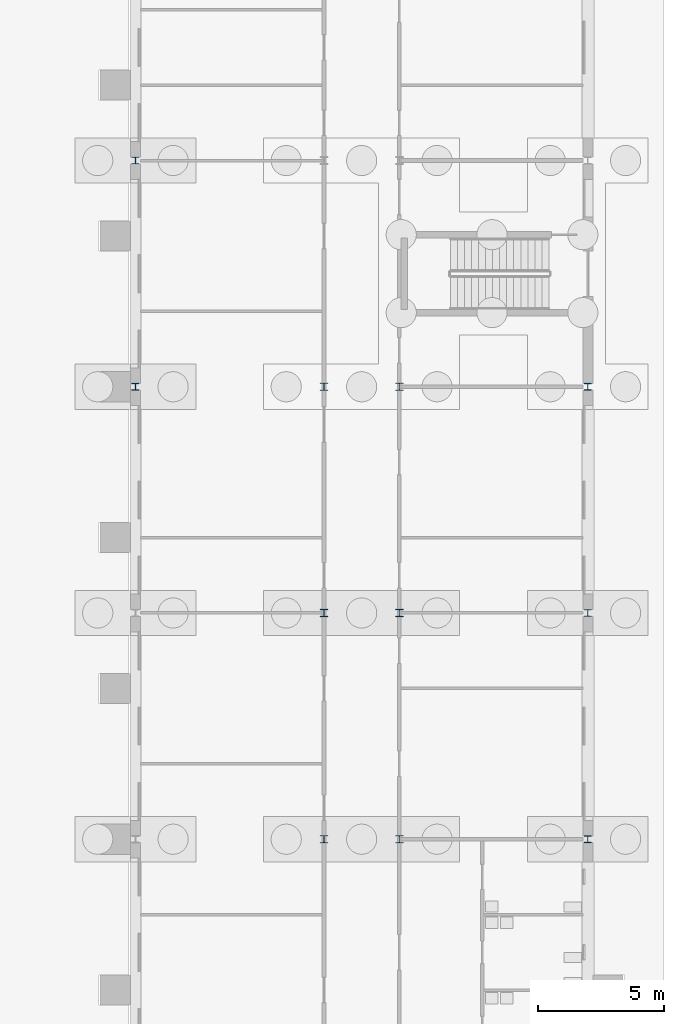
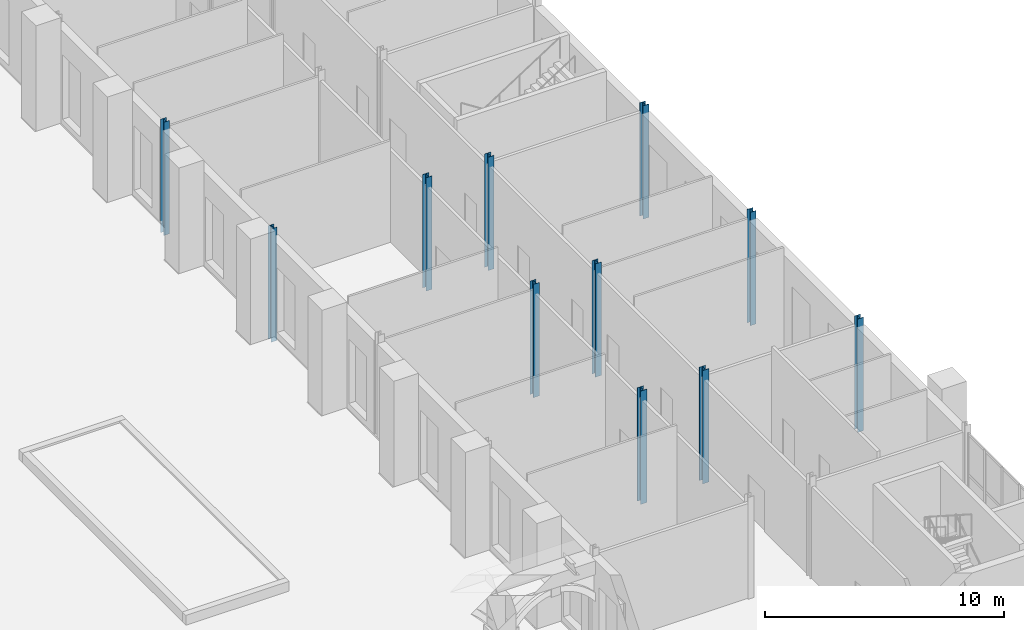
# One storey, part 29 of 168: 11 columns.
"""IFC4 building model written with IfcOpenShell, lengths in metres."""

from ifc_helpers import new_model, si_unit, direction, frame, origin, origin_2d, place, context, subcontext, project, spatial, i_section, extrude, material, material_profile, profile_set, type_object, element, save


model = new_model("IFC4")

# Units and contexts
model_context = context("Model", 3, precision=1e-05, world=origin(), true_north=direction((0.0, 1.0)))
body_context = subcontext(model_context, "Body", "Model", "MODEL_VIEW")
ifc_project = project(units=[si_unit("LENGTHUNIT", "METRE"), si_unit("AREAUNIT", "SQUARE_METRE"), si_unit("VOLUMEUNIT", "CUBIC_METRE"), si_unit("PLANEANGLEUNIT", "RADIAN"), si_unit("MASSUNIT", "GRAM", prefix="KILO")], contexts=[model_context])

# Site, building, storey
site_placement = place(None, origin())
site = spatial("IfcSite", under=ifc_project, at=site_placement, CompositionType="ELEMENT")
building_placement = place(site_placement, origin())
building = spatial("IfcBuilding", under=site, at=building_placement, Name="Golden Quay Civic Hall", CompositionType="ELEMENT")
storey_placement = place(building_placement, origin())
storey = spatial("IfcBuildingStorey", under=building, at=storey_placement, Name="L00", CompositionType="ELEMENT", Elevation=0.0)

# Columns
ifc_material_1 = material(Name="Steel S355", Category="steel")
ifc_material_profile_1 = material_profile(ifc_material_1, i_section(OverallWidth=0.280029296875, OverallDepth=0.27001953125, WebThickness=0.008056640625, FlangeThickness=0.012939453125, FilletRadius=0.02392578125, at=origin_2d()), Name="HEA 280")
ifc_profile_set_1 = profile_set([ifc_material_profile_1], Name="Steel S355")
column_type_1 = type_object("IfcColumnType", Name="Steel column HEA 280", PredefinedType="COLUMN", material=ifc_profile_set_1)
for number, where, z_axis, x_axis, name in (
    (1, (153.0, 27.0, -0.60009765625), (0.0, 0.0, 1.0), (1.0, 0.0, 0.0), "Column 153/27 L00"),
    (2, (153.0, 36.0, -0.60009765625), (0.0, 0.0, 1.0), (1.0, 0.0, 0.0), "Column 153/36 L00"),
    (3, (171.0, 9.0, -0.60009765625), (0.0, 0.0, 1.0), (1.0, 0.0, 0.0), "Column 171/9 L00"),
    (4, (171.0, 18.0, -0.60009765625), (0.0, 0.0, 1.0), (1.0, 0.0, 0.0), "Column 171/18 L00"),
    (5, (171.0, 27.0, -0.60009765625), (0.0, 0.0, 1.0), (1.0, 0.0, 0.0), "Column 171/27 L00"),
):
    element("IfcColumn", number, at=place(storey_placement, frame(where, z_axis=z_axis, x_axis=x_axis)), inside=storey, type_object=column_type_1, Name=name, PredefinedType="COLUMN", context=body_context, shape_type="SweptSolid", body=[
        extrude(i_section(OverallWidth=0.280029296875, OverallDepth=0.27001953125, WebThickness=0.008056640625, FlangeThickness=0.012939453125, FilletRadius=0.02392578125, at=origin_2d()), origin(), (0.0, 0.0, 1.0), 5.800048828125),
    ])
ifc_material_2 = material(Name="Steel S355", Category="steel")
ifc_material_profile_2 = material_profile(ifc_material_2, i_section(OverallWidth=0.300048828125, OverallDepth=0.2900390625, WebThickness=0.008544921875, FlangeThickness=0.013916015625, FilletRadius=0.027099609375, at=origin_2d()), Name="HEA 300")
ifc_profile_set_2 = profile_set([ifc_material_profile_2], Name="Steel S355")
column_type_2 = type_object("IfcColumnType", Name="Steel column HEA 300", PredefinedType="COLUMN", material=ifc_profile_set_2)
for number, where, z_axis, x_axis, name in (
    (6, (160.5, 9.0, -0.60009765625), (0.0, 0.0, 1.0), (1.0, 0.0, 0.0), "Column 160.5/9 L00"),
    (7, (160.5, 18.0, -0.60009765625), (0.0, 0.0, 1.0), (1.0, 0.0, 0.0), "Column 160.5/18 L00"),
    (8, (160.5, 27.0, -0.60009765625), (0.0, 0.0, 1.0), (1.0, 0.0, 0.0), "Column 160.5/27 L00"),
    (9, (163.5, 9.0, -0.60009765625), (0.0, 0.0, 1.0), (1.0, 0.0, 0.0), "Column 163.5/9 L00"),
    (10, (163.5, 18.0, -0.60009765625), (0.0, 0.0, 1.0), (1.0, 0.0, 0.0), "Column 163.5/18 L00"),
    (11, (163.5, 27.0, -0.60009765625), (0.0, 0.0, 1.0), (1.0, 0.0, 0.0), "Column 163.5/27 L00"),
):
    element("IfcColumn", number, at=place(storey_placement, frame(where, z_axis=z_axis, x_axis=x_axis)), inside=storey, type_object=column_type_2, Name=name, PredefinedType="COLUMN", context=body_context, shape_type="SweptSolid", body=[
        extrude(i_section(OverallWidth=0.300048828125, OverallDepth=0.2900390625, WebThickness=0.008544921875, FlangeThickness=0.013916015625, FilletRadius=0.027099609375, at=origin_2d()), origin(), (0.0, 0.0, 1.0), 5.800048828125),
    ])

save(model, "model.ifc")
